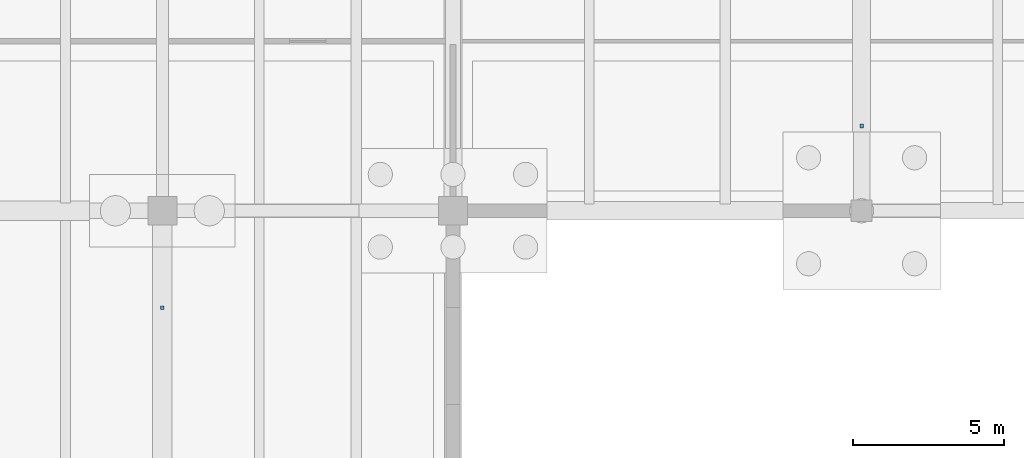
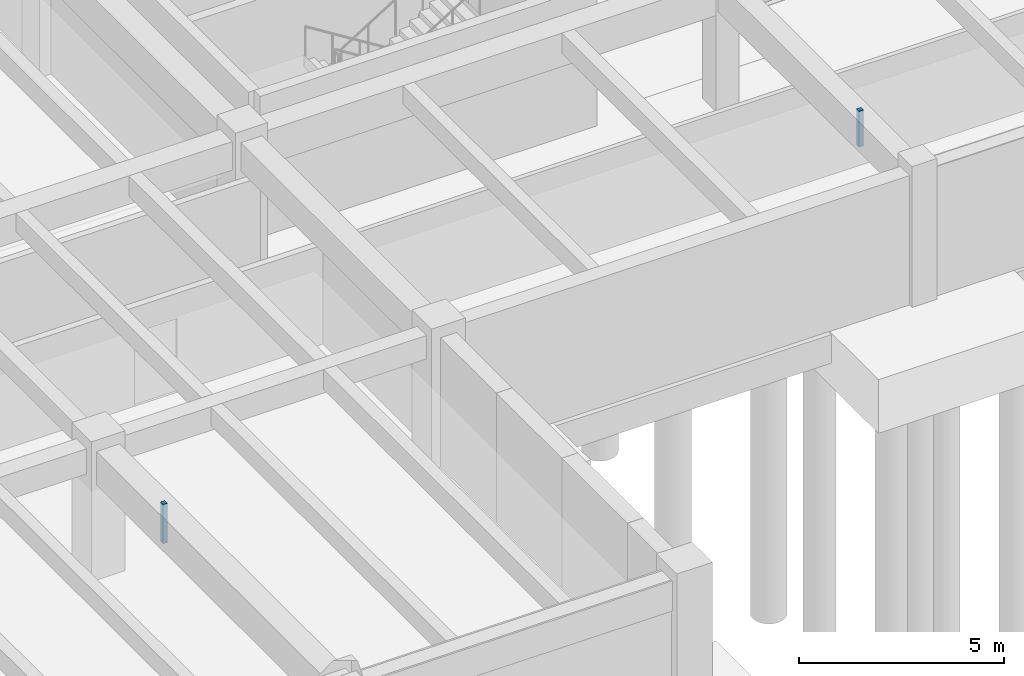
# One storey, part 23 of 41: 2 discrete accessories.
"""IFC4 building model written with IfcOpenShell, lengths in metres."""

from ifc_helpers import new_model, si_unit, direction, frame, origin, origin_2d, place, context, subcontext, project, spatial, rectangle, extrude, material, type_object, element, save


model = new_model("IFC4")

# Units and contexts
model_context = context("Model", 3, precision=1e-05, world=origin(), true_north=direction((0.0, 1.0)))
body_context = subcontext(model_context, "Body", "Model", "MODEL_VIEW")
ifc_project = project(units=[si_unit("LENGTHUNIT", "METRE"), si_unit("AREAUNIT", "SQUARE_METRE"), si_unit("VOLUMEUNIT", "CUBIC_METRE"), si_unit("PLANEANGLEUNIT", "RADIAN"), si_unit("MASSUNIT", "GRAM", prefix="KILO")], contexts=[model_context])

# Site, building, storey
site_placement = place(None, origin())
site = spatial("IfcSite", under=ifc_project, at=site_placement, CompositionType="ELEMENT")
building_placement = place(site_placement, origin())
building = spatial("IfcBuilding", under=site, at=building_placement, Name="Fikremerkos Civic Library", CompositionType="ELEMENT")
storey_placement = place(building_placement, frame((0.0, 0.0, -8.39990234375)))
storey = spatial("IfcBuildingStorey", under=building, at=storey_placement, Name="B02", CompositionType="ELEMENT", Elevation=-8.39990234375)

# Discrete accessories
ifc_material = material(Name="Galvanized Steel S275", Category="steel")
discrete_accessory_type = type_object("IfcDiscreteAccessoryType", Name="Ceiling hanger bracket BRK-01", PredefinedType="BRACKET", material=ifc_material)
discrete_accessory_1_placement = place(storey_placement, frame((9.60009765625, 8.800048828125, 2.69970703125), z_axis=(0.0, 0.0, 1.0), x_axis=(1.0, 0.0, 0.0)))
element("IfcDiscreteAccessory", 1, at=discrete_accessory_1_placement, inside=storey, type_object=discrete_accessory_type, Name="Acoustic ceiling hanger bracket #1", PredefinedType="BRACKET", context=body_context, shape_type="SweptSolid", body=[
    extrude(rectangle(XDim=0.1201171875, YDim=0.1201171875, at=origin_2d()), origin(), (0.0, 0.0, 1.0), 1.179931640625),
])
discrete_accessory_2_placement = place(storey_placement, frame((32.699951171875, 14.800048828125, 2.7998046875), z_axis=(0.0, 0.0, 1.0), x_axis=(1.0, 0.0, 0.0)))
element("IfcDiscreteAccessory", 2, at=discrete_accessory_2_placement, inside=storey, type_object=discrete_accessory_type, Name="Acoustic ceiling hanger bracket #3", PredefinedType="BRACKET", context=body_context, shape_type="SweptSolid", body=[
    extrude(rectangle(XDim=0.1201171875, YDim=0.1201171875, at=origin_2d()), origin(), (0.0, 0.0, 1.0), 1.080078125),
])

save(model, "model.ifc")
